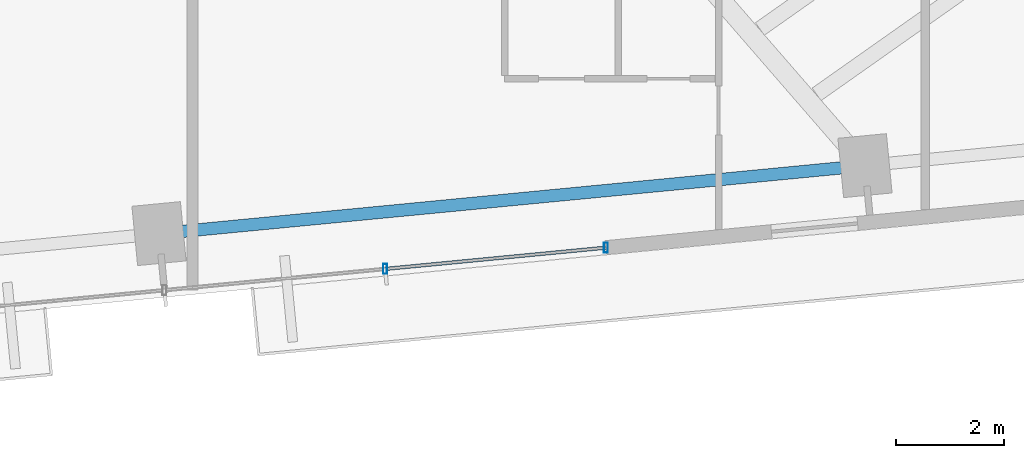
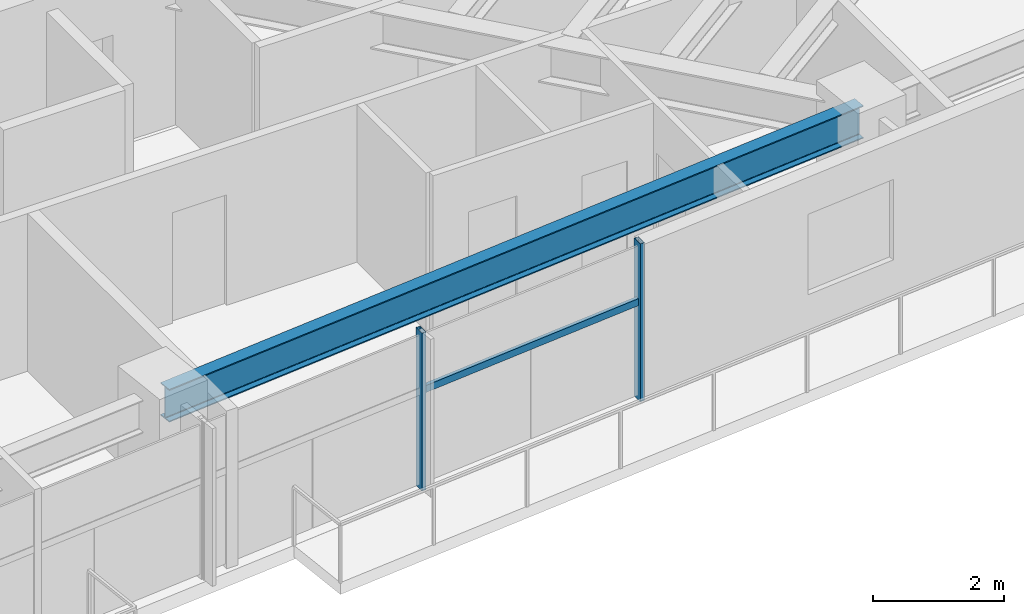
# One storey, part 12 of 27: 3 members, 1 beam, 1 element without a shape of its own.
"""IFC4 building model written with IfcOpenShell, lengths in metres."""

from ifc_helpers import new_model, si_unit, direction, frame, origin, origin_2d, place, context, subcontext, project, spatial, hollow_rectangle, i_section, extrude, source, transform, mapped, material, material_profile, profile_set, type_object, type_shapes, element, aggregate, save


model = new_model("IFC4")

# Units and contexts
model_context = context("Model", 3, precision=1e-05, world=origin(), true_north=direction((0.0, 1.0)))
body_context = subcontext(model_context, "Body", "Model", "MODEL_VIEW")
ifc_project = project(units=[si_unit("LENGTHUNIT", "METRE"), si_unit("AREAUNIT", "SQUARE_METRE"), si_unit("VOLUMEUNIT", "CUBIC_METRE"), si_unit("PLANEANGLEUNIT", "RADIAN"), si_unit("MASSUNIT", "GRAM", prefix="KILO")], contexts=[model_context])

# Site, building, storey
site_placement = place(None, origin())
site = spatial("IfcSite", under=ifc_project, at=site_placement, CompositionType="ELEMENT")
building_placement = place(site_placement, origin())
building = spatial("IfcBuilding", under=site, at=building_placement, Name="Astriad Promenade Condominiums", CompositionType="ELEMENT")
storey_placement = place(building_placement, frame((0.0, 0.0, 93.800048828125)))
storey = spatial("IfcBuildingStorey", under=building, at=storey_placement, Name="L26", CompositionType="ELEMENT", Elevation=93.800048828125)

# Beam
ifc_material_1 = material(Name="Steel ASTM A992 Grade 50", Category="steel")
ifc_material_profile_1 = material_profile(ifc_material_1, i_section(OverallWidth=0.22900390625, OverallDepth=0.612060546875, WebThickness=0.011962890625, FlangeThickness=0.01953125, FilletRadius=0.017822265625, at=origin_2d()), Name="W24X84")
ifc_profile_set_1 = profile_set([ifc_material_profile_1], Name="Steel ASTM A992 Grade 50")
beam_type = type_object("IfcBeamType", Name="STEEL SPANDREL BEAM W24X84", PredefinedType="SPANDREL", material=ifc_profile_set_1)
shared_shape_1 = source(origin(), body_context, "Body", "SweptSolid", [
    extrude(i_section(OverallWidth=0.22900390625, OverallDepth=0.612060546875, WebThickness=0.011962890625, FlangeThickness=0.01953125, FilletRadius=0.017822265625, at=origin_2d()), origin(), (0.0, 0.0, 1.0), 13.02001953125),
])
type_shapes(beam_type, [shared_shape_1])
beam_placement = place(storey_placement, frame((40.085205078125, 7.5244140625, 2.6337890625), z_axis=(0.995395138946, 0.095856754395, 0.0), x_axis=(-0.095856754395, 0.995395138946, 0.0)))
element("IfcBeam", 1, at=beam_placement, inside=storey, type_object=beam_type, Name="Perimeter Spandrel Beam SP-S3-L26", PredefinedType="SPANDREL", context=body_context, shape_type="MappedRepresentation", body=[
    mapped(shared_shape_1, transform((0.0, 0.0, 0.0), scale=1.0)),
])

# Curtain wall, members
ifc_material_2 = material(Name="Anodised aluminium Black Dark Glass Unitised", Category="aluminium")
curtain_wall_type = type_object("IfcCurtainWallType", Name="CW-B2-DARK", PredefinedType="USERDEFINED", material=ifc_material_2)
curtain_wall_placement = place(storey_placement, origin())
curtain_wall = element("IfcCurtainWall", 2, at=curtain_wall_placement, inside=storey, type_object=curtain_wall_type, Name="CW-L26-S", ObjectType="UNITISED_CURTAIN_WALL", PredefinedType="USERDEFINED")
ifc_material_3 = material(Name="Anodised aluminium 6063-T6 Black", Category="aluminium")
ifc_material_profile_2 = material_profile(ifc_material_3, hollow_rectangle(XDim=0.074951171875, YDim=0.18505859375, WallThickness=0.00439453125, at=origin_2d()), Name="ALU-MUL-75X185")
ifc_profile_set_2 = profile_set([ifc_material_profile_2], Name="Anodised aluminium 6063-T6 Black")
member_type_1 = type_object("IfcMemberType", Name="MUL-ALU-MUL-75X185", PredefinedType="MULLION", material=ifc_profile_set_2)
shared_shape_2 = source(origin(), body_context, "Body", "SweptSolid", [
    extrude(hollow_rectangle(XDim=0.074951171875, YDim=0.18505859375, WallThickness=0.00439453125, at=origin_2d()), origin(), (0.0, 0.0, 1.0), 2.93994140625),
])
type_shapes(member_type_1, [shared_shape_2])
member_1_placement = place(storey_placement, frame((48.29833984375, 7.260498046875, 0.0), z_axis=(0.0, 0.0, 1.0), x_axis=(1.0, 0.0, 0.0)))
member_1 = element("IfcMember", 3, at=member_1_placement, type_object=member_type_1, Name="CW-L26-S-MUL-00", PredefinedType="MULLION", context=body_context, shape_type="MappedRepresentation", body=[
    mapped(shared_shape_2, transform((0.0, 0.0, 0.0), scale=1.0)),
])
member_2_placement = place(storey_placement, frame((44.22216796875, 6.867919921875, 0.0), z_axis=(0.0, 0.0, 1.0), x_axis=(1.0, 0.0, 0.0)))
member_2 = element("IfcMember", 4, at=member_2_placement, type_object=member_type_1, Name="CW-L26-S-MUL-01", PredefinedType="MULLION", context=body_context, shape_type="MappedRepresentation", body=[
    mapped(shared_shape_2, transform((0.0, 0.0, 0.0), scale=1.0)),
])
ifc_material_profile_3 = material_profile(ifc_material_3, hollow_rectangle(XDim=0.06494140625, YDim=0.1298828125, WallThickness=0.00390625, at=origin_2d()), Name="ALU-TRN-65X130")
ifc_profile_set_3 = profile_set([ifc_material_profile_3], Name="Anodised aluminium 6063-T6 Black")
member_type_2 = type_object("IfcMemberType", Name="TRN-ALU-TRN-65X130", PredefinedType="USERDEFINED", material=ifc_profile_set_3)
shared_shape_3 = source(origin(), body_context, "Body", "SweptSolid", [
    extrude(hollow_rectangle(XDim=0.06494140625, YDim=0.1298828125, WallThickness=0.00390625, at=origin_2d()), origin(), (0.0, 0.0, 1.0), 4.094970703125),
])
type_shapes(member_type_2, [shared_shape_3])
member_3_placement = place(storey_placement, frame((48.29833984375, 7.260498046875, 1.82275390625), z_axis=(-0.995394161585, -0.09586690296, 0.0), x_axis=(0.09586690296, -0.995394161585, 0.0)))
member_3 = element("IfcMember", 5, at=member_3_placement, type_object=member_type_2, Name="CW-L26-S-TRN-00-0", ObjectType="TRANSOM", PredefinedType="USERDEFINED", context=body_context, shape_type="MappedRepresentation", body=[
    mapped(shared_shape_3, transform((0.0, 0.0, 0.0), scale=1.0)),
])
aggregate(curtain_wall, [member_1, member_2, member_3])

save(model, "model.ifc")
